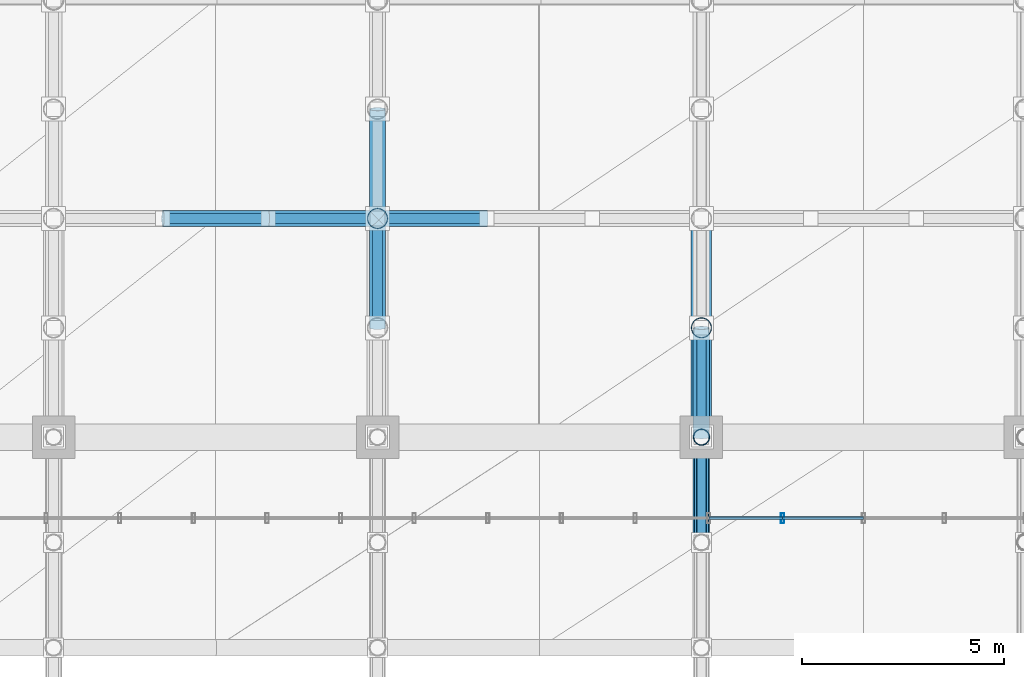
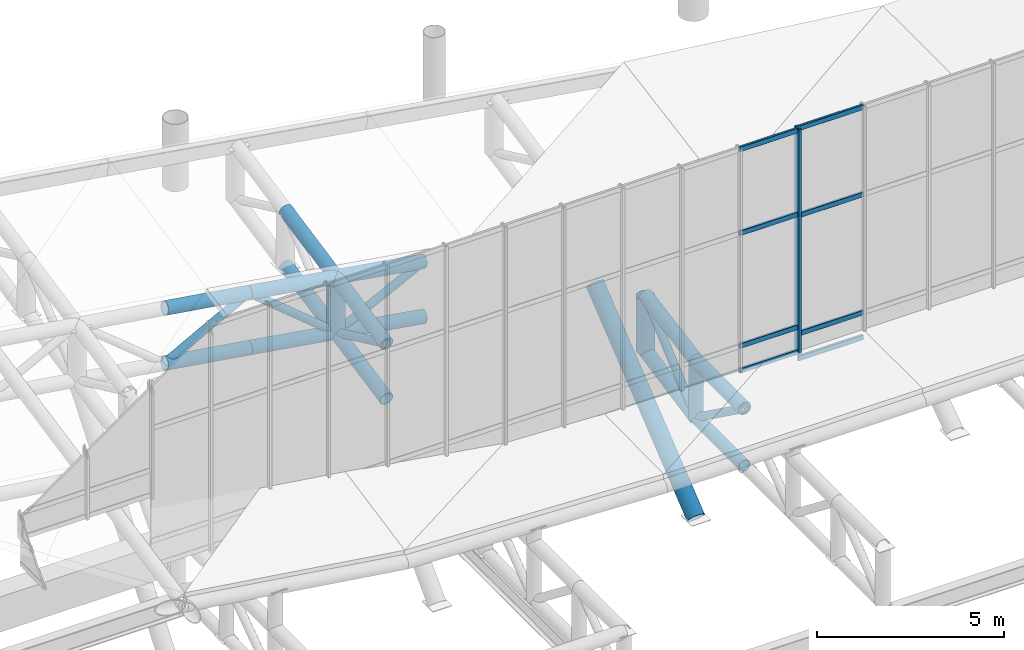
# One storey, part 47 of 137: 33 members, 2 elements without a shape of their own.
"""IFC4 building model written with IfcOpenShell, lengths in metres."""

from ifc_helpers import new_model, si_unit, direction, frame, origin, origin_2d, place, context, subcontext, project, spatial, hollow_rectangle, hollow_circle, extrude, material, layer, layer_set, material_profile, profile_set, type_object, element, aggregate, save


model = new_model("IFC4")

# Units and contexts
model_context = context("Model", 3, precision=1e-05, world=origin(), true_north=direction((0.0, 1.0)))
body_context = subcontext(model_context, "Body", "Model", "MODEL_VIEW")
ifc_project = project(units=[si_unit("LENGTHUNIT", "METRE"), si_unit("AREAUNIT", "SQUARE_METRE"), si_unit("VOLUMEUNIT", "CUBIC_METRE"), si_unit("PLANEANGLEUNIT", "RADIAN"), si_unit("MASSUNIT", "GRAM", prefix="KILO")], contexts=[model_context])

# Site, building, storey
site_placement = place(None, origin())
site = spatial("IfcSite", under=ifc_project, at=site_placement, CompositionType="ELEMENT")
building_placement = place(site_placement, origin())
building = spatial("IfcBuilding", under=site, at=building_placement, Name="Khorjan Park Terminus", CompositionType="ELEMENT")
storey_placement = place(building_placement, frame((0.0, 0.0, 11.4)))
storey = spatial("IfcBuildingStorey", under=building, at=storey_placement, Name="L02", CompositionType="ELEMENT", Elevation=11.4)

# Members
ifc_material_1 = material(Name="Steel S355", Category="steel")
ifc_material_profile_1 = material_profile(ifc_material_1, hollow_circle(Radius=0.1222, WallThickness=0.0125, at=origin_2d()), Name="CHS 244.5x12.5")
ifc_profile_set_1 = profile_set([ifc_material_profile_1], Name="Steel S355")
member_type_1 = type_object("IfcMemberType", Name="MB-BR-245", PredefinedType="BRACE", material=ifc_profile_set_1)
member_1_placement = place(storey_placement, frame((72.0, 85.4, -0.05), z_axis=(0.0, 0.811830357573, -0.583893372562), x_axis=(-1.0, 0.0, 0.0)))
element("IfcMember", 1, at=member_1_placement, inside=storey, type_object=member_type_1, Name="Lower shell cantilever truss diagonal (4N)", PredefinedType="BRACE", context=body_context, shape_type="SweptSolid", body=[
    extrude(hollow_circle(Radius=0.1222, WallThickness=0.0125, at=origin_2d()), origin(), (0.0, 0.0, 1.0), 3.2026),
])
ifc_material_profile_2 = material_profile(ifc_material_1, hollow_circle(Radius=0.1222, WallThickness=0.0125, at=origin_2d()), Name="CHS 244.5x12.5")
ifc_profile_set_2 = profile_set([ifc_material_profile_2], Name="Steel S355")
member_type_2 = type_object("IfcMemberType", Name="MB-BRE-245", PredefinedType="BRACE", material=ifc_profile_set_2)
member_2_placement = place(storey_placement, frame((64.0, 90.7, 1.6523), z_axis=(0.0, 0.906376008919, -0.422471928602), x_axis=(-1.0, 0.0, 0.0)))
element("IfcMember", 2, at=member_2_placement, inside=storey, type_object=member_type_2, Name="Lower shell cantilever truss diagonal (3N)", PredefinedType="BRACE", context=body_context, shape_type="SweptSolid", body=[
    extrude(hollow_circle(Radius=0.1222, WallThickness=0.0125, at=origin_2d()), origin(), (0.0, 0.0, 1.0), 2.9789),
])
member_3_placement = place(storey_placement, frame((72.0, 88.0, -1.92), z_axis=(0.0, 0.754194044535, 0.656651614776), x_axis=(-1.0, 0.0, 0.0)))
element("IfcMember", 3, at=member_3_placement, inside=storey, type_object=member_type_2, Name="Lower shell cantilever truss diagonal (4N)", PredefinedType="BRACE", context=body_context, shape_type="SweptSolid", body=[
    extrude(hollow_circle(Radius=0.1222, WallThickness=0.0125, at=origin_2d()), origin(), (0.0, 0.0, 1.0), 3.58),
])
member_4_placement = place(storey_placement, frame((58.7, 93.4, 1.231), z_axis=(0.881106885748, 0.0, 0.472917176562), x_axis=(0.0, 1.0, 0.0)))
element("IfcMember", 4, at=member_4_placement, inside=storey, type_object=member_type_2, Name="Lower shell mid-ring diagonal (N9)", PredefinedType="BRACE", context=body_context, shape_type="SweptSolid", body=[
    extrude(hollow_circle(Radius=0.1222, WallThickness=0.0125, at=origin_2d()), origin(), (0.0, 0.0, 1.0), 2.9508),
])
member_5_placement = place(storey_placement, frame((61.3, 93.4, 2.6265), z_axis=(0.770644194056, 0.0, -0.637265663729), x_axis=(0.0, 1.0, 0.0)))
element("IfcMember", 5, at=member_5_placement, inside=storey, type_object=member_type_2, Name="Lower shell mid-ring diagonal (N10)", PredefinedType="BRACE", context=body_context, shape_type="SweptSolid", body=[
    extrude(hollow_circle(Radius=0.1222, WallThickness=0.0125, at=origin_2d()), origin(), (0.0, 0.0, 1.0), 3.5036),
])
member_6_placement = place(storey_placement, frame((64.0, 93.4, 0.3938), z_axis=(0.892129007038, 0.0, 0.451780737527), x_axis=(0.0, 1.0, 0.0)))
element("IfcMember", 6, at=member_6_placement, inside=storey, type_object=member_type_2, Name="Lower shell mid-ring diagonal (N11)", PredefinedType="BRACE", context=body_context, shape_type="SweptSolid", body=[
    extrude(hollow_circle(Radius=0.1222, WallThickness=0.0125, at=origin_2d()), origin(), (0.0, 0.0, 1.0), 3.0265),
])
ifc_material_profile_3 = material_profile(ifc_material_1, hollow_circle(Radius=0.1778, WallThickness=0.016, at=origin_2d()), Name="CHS 355.6x16")
ifc_profile_set_3 = profile_set([ifc_material_profile_3], Name="Steel S355")
member_type_3 = type_object("IfcMemberType", Name="MB-CH-356", PredefinedType="CHORD", material=ifc_profile_set_3)
member_7_placement = place(storey_placement, frame((72.0, 85.4, -1.92), z_axis=(0.0, 1.0, 0.0), x_axis=(-1.0, 0.0, 0.0)))
element("IfcMember", 7, at=member_7_placement, inside=storey, type_object=member_type_3, Name="Lower shell cantilever truss bottom chord (4N)", PredefinedType="CHORD", context=body_context, shape_type="SweptSolid", body=[
    extrude(hollow_circle(Radius=0.1778, WallThickness=0.016, at=origin_2d()), origin(), (0.0, 0.0, 1.0), 2.6),
])
ifc_material_profile_4 = material_profile(ifc_material_1, hollow_circle(Radius=0.2032, WallThickness=0.016, at=origin_2d()), Name="CHS 406.4x16")
ifc_profile_set_4 = profile_set([ifc_material_profile_4], Name="Steel S355")
member_type_4 = type_object("IfcMemberType", Name="MB-CH-406", PredefinedType="CHORD", material=ifc_profile_set_4)
member_8_placement = place(storey_placement, frame((72.0, 85.4, -0.05), z_axis=(0.0, 1.0, 0.0), x_axis=(-1.0, 0.0, 0.0)))
element("IfcMember", 8, at=member_8_placement, inside=storey, type_object=member_type_4, Name="Lower shell cantilever truss top chord (4N)", PredefinedType="CHORD", context=body_context, shape_type="SweptSolid", body=[
    extrude(hollow_circle(Radius=0.2032, WallThickness=0.016, at=origin_2d()), origin(), (0.0, 0.0, 1.0), 2.6),
])
ifc_material_profile_5 = material_profile(ifc_material_1, hollow_circle(Radius=0.2032, WallThickness=0.016, at=origin_2d()), Name="CHS 406.4x16")
ifc_profile_set_5 = profile_set([ifc_material_profile_5], Name="Steel S355")
member_type_5 = type_object("IfcMemberType", Name="MB-CHE-406", PredefinedType="CHORD", material=ifc_profile_set_5)
for number, where, z_axis, x_axis, name in (
    (9, (64.0, 90.7, 1.6523), (0.0, 0.980475784127, 0.196639865594), (-1.0, 0.0, 0.0), "Lower shell cantilever truss top chord (3N)"),
    (10, (64.0, 90.7, -0.1477), (0.0, 0.980475784127, 0.196639865594), (-1.0, 0.0, 0.0), "Lower shell cantilever truss bottom chord (3N)"),
    (11, (64.0, 93.4, 2.1938), (0.0, 0.980475784127, 0.196639865594), (-1.0, 0.0, 0.0), "Lower shell cantilever truss top chord (3N)"),
    (12, (64.0, 93.4, 0.3938), (0.0, 0.980475784127, 0.196639865594), (-1.0, 0.0, 0.0), "Lower shell cantilever truss bottom chord (3N)"),
):
    element("IfcMember", number, at=place(storey_placement, frame(where, z_axis=z_axis, x_axis=x_axis)), inside=storey, type_object=member_type_5, Name=name, PredefinedType="CHORD", context=body_context, shape_type="SweptSolid", body=[
        extrude(hollow_circle(Radius=0.2032, WallThickness=0.016, at=origin_2d()), origin(), (0.0, 0.0, 1.0), 2.7538),
    ])
member_9_placement = place(storey_placement, frame((72.0, 88.0, -0.05), z_axis=(0.0, 0.98451219689, 0.175316097876), x_axis=(-1.0, 0.0, 0.0)))
element("IfcMember", 13, at=member_9_placement, inside=storey, type_object=member_type_5, Name="Lower shell cantilever truss top chord (4N)", PredefinedType="CHORD", context=body_context, shape_type="SweptSolid", body=[
    extrude(hollow_circle(Radius=0.2032, WallThickness=0.016, at=origin_2d()), origin(), (0.0, 0.0, 1.0), 2.7425),
])
member_10_placement = place(storey_placement, frame((72.0, 88.0, -1.92), z_axis=(0.0, 0.979819726619, 0.19988322423), x_axis=(-1.0, 0.0, 0.0)))
element("IfcMember", 14, at=member_10_placement, inside=storey, type_object=member_type_5, Name="Lower shell cantilever truss bottom chord (4N)", PredefinedType="CHORD", context=body_context, shape_type="SweptSolid", body=[
    extrude(hollow_circle(Radius=0.2032, WallThickness=0.016, at=origin_2d()), origin(), (0.0, 0.0, 1.0), 2.7556),
])
for number, where, z_axis, x_axis, name in (
    (15, (58.7, 93.4, 3.031), (0.988113262008, 0.0, -0.153727620955), (0.0, 1.0, 0.0), "Lower shell mid-ring top chord (N9)"),
    (16, (58.7, 93.4, 1.231), (0.988113262008, 0.0, -0.153727620955), (0.0, 1.0, 0.0), "Lower shell mid-ring bottom chord (N9)"),
):
    element("IfcMember", number, at=place(storey_placement, frame(where, z_axis=z_axis, x_axis=x_axis)), inside=storey, type_object=member_type_5, Name=name, PredefinedType="CHORD", context=body_context, shape_type="SweptSolid", body=[
        extrude(hollow_circle(Radius=0.2032, WallThickness=0.016, at=origin_2d()), origin(), (0.0, 0.0, 1.0), 2.6313),
    ])
for number, where, z_axis, x_axis, name in (
    (17, (61.3, 93.4, 2.6265), (0.987400663901, 0.0, -0.158240098989), (0.0, 1.0, 0.0), "Lower shell mid-ring top chord (N10)"),
    (18, (61.3, 93.4, 0.8265), (0.987400663901, 0.0, -0.158240098989), (0.0, 1.0, 0.0), "Lower shell mid-ring bottom chord (N10)"),
    (19, (64.0, 93.4, 2.1938), (0.987400663901, 0.0, -0.158240098989), (0.0, 1.0, 0.0), "Lower shell mid-ring top chord (N11)"),
    (20, (64.0, 93.4, 0.3938), (0.987400663901, 0.0, -0.158240098989), (0.0, 1.0, 0.0), "Lower shell mid-ring bottom chord (N11)"),
):
    element("IfcMember", number, at=place(storey_placement, frame(where, z_axis=z_axis, x_axis=x_axis)), inside=storey, type_object=member_type_5, Name=name, PredefinedType="CHORD", context=body_context, shape_type="SweptSolid", body=[
        extrude(hollow_circle(Radius=0.2032, WallThickness=0.016, at=origin_2d()), origin(), (0.0, 0.0, 1.0), 2.7345),
    ])
ifc_material_profile_6 = material_profile(ifc_material_1, hollow_circle(Radius=0.2032, WallThickness=0.016, at=origin_2d()), Name="CHS 406.4x16")
ifc_profile_set_6 = profile_set([ifc_material_profile_6], Name="Steel S355")
member_type_6 = type_object("IfcMemberType", Name="MB-ST-406", PredefinedType="STRUT", material=ifc_profile_set_6)
member_11_placement = place(storey_placement, frame((72.0, 88.0, -1.92), z_axis=(0.0, 0.0, 1.0), x_axis=(1.0, 0.0, 0.0)))
element("IfcMember", 21, at=member_11_placement, inside=storey, type_object=member_type_6, Name="Lower shell cantilever truss post (4N)", PredefinedType="STRUT", context=body_context, shape_type="SweptSolid", body=[
    extrude(hollow_circle(Radius=0.2032, WallThickness=0.016, at=origin_2d()), origin(), (0.0, 0.0, 1.0), 1.87),
])
ifc_material_profile_7 = material_profile(ifc_material_1, hollow_circle(Radius=0.254, WallThickness=0.02, at=origin_2d()), Name="CHS 508x20")
ifc_profile_set_7 = profile_set([ifc_material_profile_7], Name="Steel S355")
member_type_7 = type_object("IfcMemberType", Name="MB-STE-508", PredefinedType="STRUT", material=ifc_profile_set_7)
for number, where, z_axis, x_axis, name in (
    (22, (64.0, 93.4, 0.3938), (0.0, 0.0, 1.0), (1.0, 0.0, 0.0), "Lower shell cantilever truss post (3N)"),
    (23, (72.0, 90.7, -1.3692), (0.0, 0.0, 1.0), (1.0, 0.0, 0.0), "Lower shell cantilever truss post (4N)"),
):
    element("IfcMember", number, at=place(storey_placement, frame(where, z_axis=z_axis, x_axis=x_axis)), inside=storey, type_object=member_type_7, Name=name, PredefinedType="STRUT", context=body_context, shape_type="SweptSolid", body=[
        extrude(hollow_circle(Radius=0.254, WallThickness=0.02, at=origin_2d()), origin(), (0.0, 0.0, 1.0), 1.8),
    ])
member_12_placement = place(storey_placement, frame((72.0, 88.0, -5.2), z_axis=(0.0, 0.777176493514, 0.62928268523), x_axis=(-1.0, 0.0, 0.0)))
element("IfcMember", 24, at=member_12_placement, inside=storey, type_object=member_type_7, Name="Lower shell raked overhang V-strut STE-51 (4N)", PredefinedType="STRUT", context=body_context, shape_type="SweptSolid", body=[
    extrude(hollow_circle(Radius=0.254, WallThickness=0.02, at=origin_2d()), origin(), (0.0, 0.0, 1.0), 6.9482),
])

# Curtain wall, members
ifc_material_2 = material(Name="Anodized Bronze Aluminium", Category="aluminium")
ifc_layer = layer(ifc_material_2, 0.22)
ifc_layer_set = layer_set([ifc_layer], Name="Anodized Bronze Aluminium")
curtain_wall_type = type_object("IfcCurtainWallType", Name="CW-CONC-CLR", PredefinedType="NOTDEFINED", material=ifc_layer_set)
curtain_wall_1_placement = place(storey_placement, origin())
curtain_wall_1 = element("IfcCurtainWall", 25, at=curtain_wall_1_placement, inside=storey, type_object=curtain_wall_type, Name="Unitized curtain wall CW-CL (CW-V2-N-CLR-02)", PredefinedType="NOTDEFINED")
ifc_material_profile_8 = material_profile(ifc_material_2, hollow_rectangle(XDim=0.08, YDim=0.25, WallThickness=0.005, InnerFilletRadius=0.005, OuterFilletRadius=0.01, at=origin_2d()), Name="ALM 80x250x5")
ifc_profile_set_8 = profile_set([ifc_material_profile_8], Name="Anodized Bronze Aluminium")
member_type_8 = type_object("IfcMemberType", Name="ML-ALM-250", PredefinedType="MULLION", material=ifc_profile_set_8)
member_13_placement = place(storey_placement, frame((74.0, 86.0, 0.6813), z_axis=(0.0, 0.0, 1.0), x_axis=(-1.0, 0.0, 0.0)))
member_13 = element("IfcMember", 26, at=member_13_placement, type_object=member_type_8, Name="Curtain-wall mullion ML-25 (CW-V2-N-CLR-02-0)", PredefinedType="MULLION", context=body_context, shape_type="SweptSolid", body=[
    extrude(hollow_rectangle(XDim=0.08, YDim=0.25, WallThickness=0.005, InnerFilletRadius=0.005, OuterFilletRadius=0.01, at=origin_2d()), origin(), (0.0, 0.0, 1.0), 7.382),
])
ifc_material_profile_9 = material_profile(ifc_material_2, hollow_rectangle(XDim=0.07, YDim=0.16, WallThickness=0.004, InnerFilletRadius=0.004, OuterFilletRadius=0.008, at=origin_2d()), Name="ALT 70x160x4")
ifc_profile_set_9 = profile_set([ifc_material_profile_9], Name="Anodized Bronze Aluminium")
member_type_9 = type_object("IfcMemberType", Name="TR-ALT-160", PredefinedType="USERDEFINED", material=ifc_profile_set_9)
member_14_placement = place(storey_placement, frame((74.0, 86.0, 0.7563), z_axis=(-1.0, 0.0, 0.0), x_axis=(0.0, -1.0, 0.0)))
member_14 = element("IfcMember", 27, at=member_14_placement, type_object=member_type_9, Name="Curtain-wall transom TR-16 (CW-V2-N-CLR-02-0-1)", ObjectType="TRANSOM", PredefinedType="USERDEFINED", context=body_context, shape_type="SweptSolid", body=[
    extrude(hollow_rectangle(XDim=0.07, YDim=0.16, WallThickness=0.004, InnerFilletRadius=0.004, OuterFilletRadius=0.008, at=origin_2d()), origin(), (0.0, 0.0, 1.0), 1.8182),
])
member_15_placement = place(storey_placement, frame((74.0, 86.0, 1.5663), z_axis=(-1.0, 0.0, 0.0), x_axis=(0.0, -1.0, 0.0)))
member_15 = element("IfcMember", 28, at=member_15_placement, type_object=member_type_9, Name="Curtain-wall transom TR-16 (CW-V2-N-CLR-02-0-2)", ObjectType="TRANSOM", PredefinedType="USERDEFINED", context=body_context, shape_type="SweptSolid", body=[
    extrude(hollow_rectangle(XDim=0.07, YDim=0.16, WallThickness=0.004, InnerFilletRadius=0.004, OuterFilletRadius=0.008, at=origin_2d()), origin(), (0.0, 0.0, 1.0), 1.8182),
])
member_16_placement = place(storey_placement, frame((74.0, 86.0, 5.2497), z_axis=(-1.0, 0.0, 0.0), x_axis=(0.0, -1.0, 0.0)))
member_16 = element("IfcMember", 29, at=member_16_placement, type_object=member_type_9, Name="Curtain-wall transom TR-16 (CW-V2-N-CLR-02-0-3)", ObjectType="TRANSOM", PredefinedType="USERDEFINED", context=body_context, shape_type="SweptSolid", body=[
    extrude(hollow_rectangle(XDim=0.07, YDim=0.16, WallThickness=0.004, InnerFilletRadius=0.004, OuterFilletRadius=0.008, at=origin_2d()), origin(), (0.0, 0.0, 1.0), 1.8182),
])
member_17_placement = place(storey_placement, frame((74.0, 86.0, 7.9883), z_axis=(-1.0, 0.0, 0.0), x_axis=(0.0, -1.0, 0.0)))
member_17 = element("IfcMember", 30, at=member_17_placement, type_object=member_type_9, Name="Curtain-wall transom TR-16 (CW-V2-N-CLR-02-0-4)", ObjectType="TRANSOM", PredefinedType="USERDEFINED", context=body_context, shape_type="SweptSolid", body=[
    extrude(hollow_rectangle(XDim=0.07, YDim=0.16, WallThickness=0.004, InnerFilletRadius=0.004, OuterFilletRadius=0.008, at=origin_2d()), origin(), (0.0, 0.0, 1.0), 1.8182),
])
aggregate(curtain_wall_1, [member_13, member_14, member_15, member_16, member_17])

curtain_wall_2_placement = place(storey_placement, origin())
curtain_wall_2 = element("IfcCurtainWall", 31, at=curtain_wall_2_placement, inside=storey, type_object=curtain_wall_type, Name="Unitized curtain wall CW-CL (CW-V2-N-CLR-03)", PredefinedType="NOTDEFINED")
member_18_placement = place(storey_placement, frame((76.0, 86.0, 0.525), z_axis=(-1.0, 0.0, 0.0), x_axis=(0.0, -1.0, 0.0)))
member_18 = element("IfcMember", 32, at=member_18_placement, type_object=member_type_9, Name="Curtain-wall transom TR-16 (CW-V2-N-CLR-03-4-1)", ObjectType="TRANSOM", PredefinedType="USERDEFINED", context=body_context, shape_type="SweptSolid", body=[
    extrude(hollow_rectangle(XDim=0.07, YDim=0.16, WallThickness=0.004, InnerFilletRadius=0.004, OuterFilletRadius=0.008, at=origin_2d()), origin(), (0.0, 0.0, 1.0), 2.0),
])
member_19_placement = place(storey_placement, frame((76.0, 86.0, 1.335), z_axis=(-1.0, 0.0, 0.0), x_axis=(0.0, -1.0, 0.0)))
member_19 = element("IfcMember", 33, at=member_19_placement, type_object=member_type_9, Name="Curtain-wall transom TR-16 (CW-V2-N-CLR-03-4-2)", ObjectType="TRANSOM", PredefinedType="USERDEFINED", context=body_context, shape_type="SweptSolid", body=[
    extrude(hollow_rectangle(XDim=0.07, YDim=0.16, WallThickness=0.004, InnerFilletRadius=0.004, OuterFilletRadius=0.008, at=origin_2d()), origin(), (0.0, 0.0, 1.0), 2.0),
])
member_20_placement = place(storey_placement, frame((76.0, 86.0, 5.1951), z_axis=(-1.0, 0.0, 0.0), x_axis=(0.0, -1.0, 0.0)))
member_20 = element("IfcMember", 34, at=member_20_placement, type_object=member_type_9, Name="Curtain-wall transom TR-16 (CW-V2-N-CLR-03-4-3)", ObjectType="TRANSOM", PredefinedType="USERDEFINED", context=body_context, shape_type="SweptSolid", body=[
    extrude(hollow_rectangle(XDim=0.07, YDim=0.16, WallThickness=0.004, InnerFilletRadius=0.004, OuterFilletRadius=0.008, at=origin_2d()), origin(), (0.0, 0.0, 1.0), 2.0),
])
member_21_placement = place(storey_placement, frame((76.0, 86.0, 8.0419), z_axis=(-1.0, 0.0, 0.0), x_axis=(0.0, -1.0, 0.0)))
member_21 = element("IfcMember", 35, at=member_21_placement, type_object=member_type_9, Name="Curtain-wall transom TR-16 (CW-V2-N-CLR-03-4-4)", ObjectType="TRANSOM", PredefinedType="USERDEFINED", context=body_context, shape_type="SweptSolid", body=[
    extrude(hollow_rectangle(XDim=0.07, YDim=0.16, WallThickness=0.004, InnerFilletRadius=0.004, OuterFilletRadius=0.008, at=origin_2d()), origin(), (0.0, 0.0, 1.0), 2.0),
])
aggregate(curtain_wall_2, [member_18, member_19, member_20, member_21])

save(model, "model.ifc")
